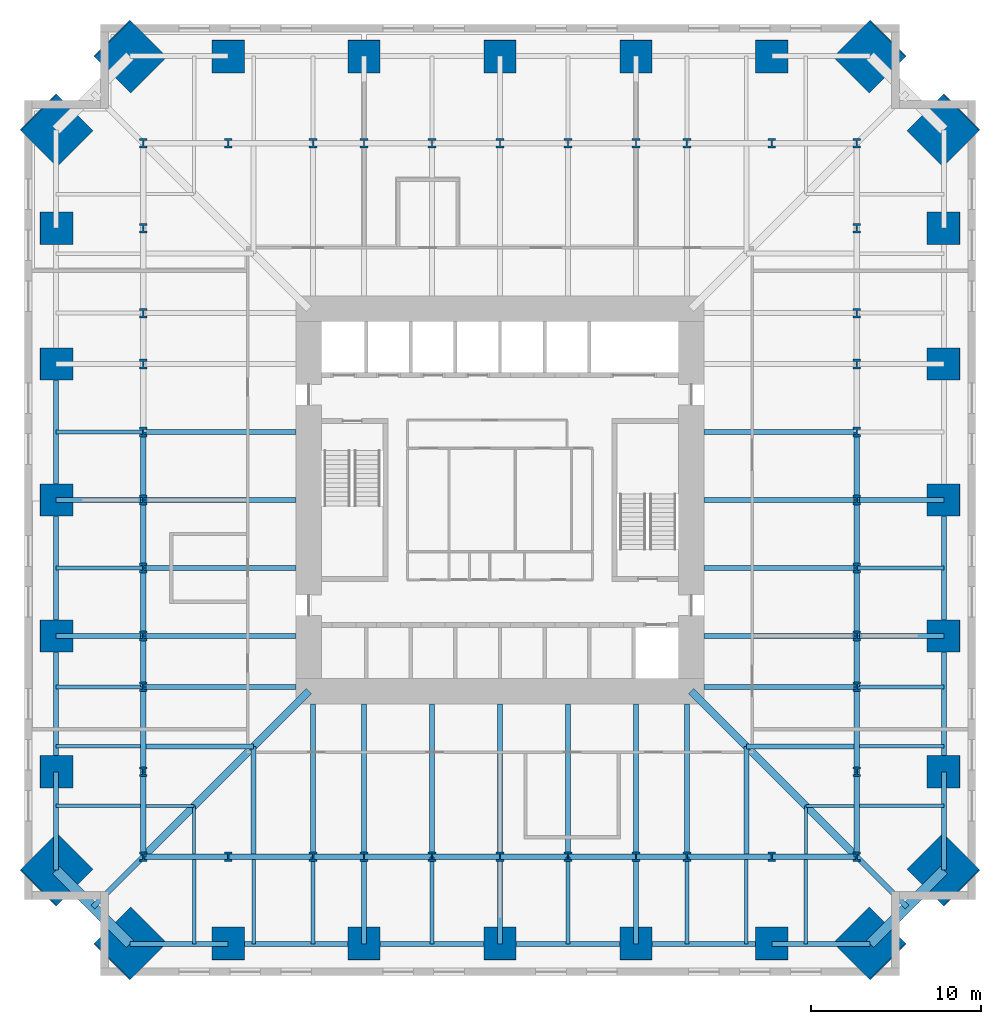
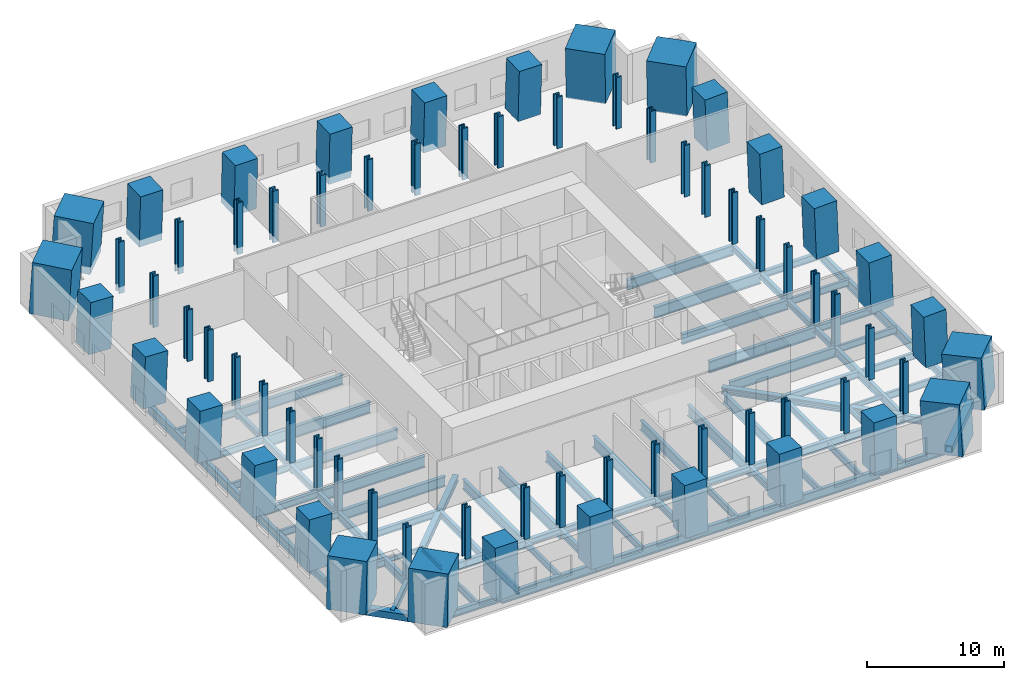
# One storey, part 1 of 8: 90 beams, 68 columns.
"""IFC4 building model written with IfcOpenShell, lengths in metres."""

from ifc_helpers import new_model, si_unit, direction, frame, origin, origin_2d, place, context, subcontext, project, spatial, rectangle, hollow_rectangle, i_section, extrude, material, material_profile, profile_set, type_object, element, save


model = new_model("IFC4")

# Units and contexts
model_context = context("Model", 3, precision=1e-05, world=origin(), true_north=direction((0.0, 1.0)))
body_context = subcontext(model_context, "Body", "Model", "MODEL_VIEW")
ifc_project = project(units=[si_unit("LENGTHUNIT", "METRE"), si_unit("AREAUNIT", "SQUARE_METRE"), si_unit("VOLUMEUNIT", "CUBIC_METRE"), si_unit("PLANEANGLEUNIT", "RADIAN"), si_unit("MASSUNIT", "GRAM", prefix="KILO")], contexts=[model_context])

# Site, building, storey
site_placement = place(None, origin())
site = spatial("IfcSite", under=ifc_project, at=site_placement, CompositionType="ELEMENT")
building_placement = place(site_placement, origin())
building = spatial("IfcBuilding", under=site, at=building_placement, Name="Peilmerk Tower", CompositionType="ELEMENT")
storey_placement = place(building_placement, frame((0.0, 0.0, 118.199951171875)))
storey = spatial("IfcBuildingStorey", under=building, at=storey_placement, Name="L23", CompositionType="ELEMENT", Elevation=118.199951171875)

# Columns
ifc_material_1 = material(Name="Concrete C90/105", Category="concrete")
ifc_material_profile_1 = material_profile(ifc_material_1, rectangle(XDim=3.0, YDim=3.0, at=origin_2d()), Name="RC 3000x3000")
ifc_profile_set_1 = profile_set([ifc_material_profile_1], Name="Concrete C90/105")
column_type_1 = type_object("IfcColumnType", Name="MC1 3000x3000 encased mega column", PredefinedType="COLUMN", material=ifc_profile_set_1)
for number, where, z_axis, x_axis, name in (
    (1, (21.78076171875, 26.130615234375, 0.0), (-0.040269957025, -0.040269957025, 0.998377013519), (0.707106781187, -0.707106781187, 0.0), "Mega column MC1 NE_N L23"),
    (2, (26.130615234375, 21.78076171875, 0.0), (-0.040269957025, -0.040269957025, 0.998377013519), (0.707106781187, -0.707106781187, 0.0), "Mega column MC1 NE_E L23"),
    (3, (26.130615234375, -21.78076171875, 0.0), (-0.040269957025, 0.040269957025, 0.998377013519), (-0.707106781187, -0.707106781187, 0.0), "Mega column MC1 SE_E L23"),
    (4, (21.78076171875, -26.130615234375, 0.0), (-0.040269957025, 0.040269957025, 0.998377013519), (-0.707106781187, -0.707106781187, 0.0), "Mega column MC1 SE_S L23"),
    (5, (-21.78076171875, -26.130615234375, 0.0), (0.040269957025, 0.040269957025, 0.998377013519), (-0.707106781187, 0.707106781187, 0.0), "Mega column MC1 SW_S L23"),
    (6, (-26.130615234375, -21.78076171875, 0.0), (0.040269957025, 0.040269957025, 0.998377013519), (-0.707106781187, 0.707106781187, 0.0), "Mega column MC1 SW_W L23"),
    (7, (-26.130615234375, 21.78076171875, 0.0), (0.040269957025, -0.040269957025, 0.998377013519), (0.707106781187, 0.707106781187, 0.0), "Mega column MC1 NW_W L23"),
    (8, (-21.78076171875, 26.130615234375, 0.0), (0.040269957025, -0.040269957025, 0.998377013519), (0.707106781187, 0.707106781187, 0.0), "Mega column MC1 NW_N L23"),
):
    element("IfcColumn", number, at=place(storey_placement, frame(where, z_axis=z_axis, x_axis=x_axis)), inside=storey, type_object=column_type_1, Name=name, PredefinedType="COLUMN", context=body_context, shape_type="SweptSolid", body=[
        extrude(rectangle(XDim=3.0, YDim=3.0, at=origin_2d()), origin(), (0.0, 0.0, 1.0), 4.607666015625),
    ])
ifc_material_profile_2 = material_profile(ifc_material_1, rectangle(XDim=1.89990234375, YDim=1.89990234375, at=origin_2d()), Name="RC 1900x1900")
ifc_profile_set_2 = profile_set([ifc_material_profile_2], Name="Concrete C90/105")
column_type_2 = type_object("IfcColumnType", Name="SC5 1900x1900 encased perimeter column", PredefinedType="COLUMN", material=ifc_profile_set_2)
for number, where, z_axis, x_axis, name in (
    (9, (0.0, 26.130615234375, 0.0), (0.0, -0.040302649072, 0.999187518176), (1.0, 0.0, 0.0), "Perimeter column N+0 L23"),
    (10, (8.0, 26.130615234375, 0.0), (0.0, -0.040302649072, 0.999187518176), (1.0, 0.0, 0.0), "Perimeter column N-8 L23"),
    (11, (-8.0, 26.130615234375, 0.0), (0.0, -0.040302649072, 0.999187518176), (1.0, 0.0, 0.0), "Perimeter column N+8 L23"),
    (12, (16.0, 26.130615234375, 0.0), (0.0, -0.040302649072, 0.999187518176), (1.0, 0.0, 0.0), "Perimeter column N-16 L23"),
    (13, (-16.0, 26.130615234375, 0.0), (0.0, -0.040302649072, 0.999187518176), (1.0, 0.0, 0.0), "Perimeter column N+16 L23"),
    (14, (26.130615234375, 0.0, 0.0), (-0.040302649072, 0.0, 0.999187518176), (0.0, -1.0, 0.0), "Perimeter column E+0 L23"),
    (15, (26.130615234375, -8.0, 0.0), (-0.040302649072, 0.0, 0.999187518176), (0.0, -1.0, 0.0), "Perimeter column E-8 L23"),
    (16, (26.130615234375, 8.0, 0.0), (-0.040302649072, 0.0, 0.999187518176), (0.0, -1.0, 0.0), "Perimeter column E+8 L23"),
    (17, (26.130615234375, -16.0, 0.0), (-0.040302649072, 0.0, 0.999187518176), (0.0, -1.0, 0.0), "Perimeter column E-16 L23"),
    (18, (26.130615234375, 16.0, 0.0), (-0.040302649072, 0.0, 0.999187518176), (0.0, -1.0, 0.0), "Perimeter column E+16 L23"),
    (19, (0.0, -26.130615234375, 0.0), (0.0, 0.040302649072, 0.999187518176), (-1.0, 0.0, 0.0), "Perimeter column S+0 L23"),
    (20, (-8.0, -26.130615234375, 0.0), (0.0, 0.040302649072, 0.999187518176), (-1.0, 0.0, 0.0), "Perimeter column S-8 L23"),
    (21, (8.0, -26.130615234375, 0.0), (0.0, 0.040302649072, 0.999187518176), (-1.0, 0.0, 0.0), "Perimeter column S+8 L23"),
    (22, (-16.0, -26.130615234375, 0.0), (0.0, 0.040302649072, 0.999187518176), (-1.0, 0.0, 0.0), "Perimeter column S-16 L23"),
    (23, (16.0, -26.130615234375, 0.0), (0.0, 0.040302649072, 0.999187518176), (-1.0, 0.0, 0.0), "Perimeter column S+16 L23"),
    (24, (-26.130615234375, 0.0, 0.0), (0.040302649072, 0.0, 0.999187518176), (0.0, 1.0, 0.0), "Perimeter column W+0 L23"),
    (25, (-26.130615234375, 8.0, 0.0), (0.040302649072, 0.0, 0.999187518176), (0.0, 1.0, 0.0), "Perimeter column W-8 L23"),
    (26, (-26.130615234375, -8.0, 0.0), (0.040302649072, 0.0, 0.999187518176), (0.0, 1.0, 0.0), "Perimeter column W+8 L23"),
    (27, (-26.130615234375, 16.0, 0.0), (0.040302649072, 0.0, 0.999187518176), (0.0, 1.0, 0.0), "Perimeter column W-16 L23"),
    (28, (-26.130615234375, -16.0, 0.0), (0.040302649072, 0.0, 0.999187518176), (0.0, 1.0, 0.0), "Perimeter column W+16 L23"),
):
    element("IfcColumn", number, at=place(storey_placement, frame(where, z_axis=z_axis, x_axis=x_axis)), inside=storey, type_object=column_type_2, Name=name, PredefinedType="COLUMN", context=body_context, shape_type="SweptSolid", body=[
        extrude(rectangle(XDim=1.89990234375, YDim=1.89990234375, at=origin_2d()), origin(), (0.0, 0.0, 1.0), 4.603759765625),
    ])
ifc_material_2 = material(Name="Steel S460", Category="steel")
ifc_material_profile_3 = material_profile(ifc_material_2, i_section(OverallWidth=0.4541015625, OverallDepth=0.569091796875, WebThickness=0.077880859375, FlangeThickness=0.125, at=origin_2d()), Name="HD 400x1086")
ifc_profile_set_3 = profile_set([ifc_material_profile_3], Name="Steel S460")
column_type_3 = type_object("IfcColumnType", Name="SC6 HD 400x1086 interior column", PredefinedType="COLUMN", material=ifc_profile_set_3)
for number, where, z_axis, x_axis, name in (
    (29, (0.0, 21.0, 0.0), (0.0, 0.0, 1.0), (1.0, 0.0, 0.0), "Interior column N+0 L23"),
    (30, (4.0, 21.0, 0.0), (0.0, 0.0, 1.0), (1.0, 0.0, 0.0), "Interior column N-4 L23"),
    (31, (-4.0, 21.0, 0.0), (0.0, 0.0, 1.0), (1.0, 0.0, 0.0), "Interior column N+4 L23"),
    (32, (8.0, 21.0, 0.0), (0.0, 0.0, 1.0), (1.0, 0.0, 0.0), "Interior column N-8 L23"),
    (33, (-8.0, 21.0, 0.0), (0.0, 0.0, 1.0), (1.0, 0.0, 0.0), "Interior column N+8 L23"),
    (34, (11.0, 21.0, 0.0), (0.0, 0.0, 1.0), (1.0, 0.0, 0.0), "Interior column N-11 L23"),
    (35, (-11.0, 21.0, 0.0), (0.0, 0.0, 1.0), (1.0, 0.0, 0.0), "Interior column N+11 L23"),
    (36, (16.0, 21.0, 0.0), (0.0, 0.0, 1.0), (1.0, 0.0, 0.0), "Interior column N-16 L23"),
    (37, (-16.0, 21.0, 0.0), (0.0, 0.0, 1.0), (1.0, 0.0, 0.0), "Interior column N+16 L23"),
    (38, (21.0, 0.0, 0.0), (0.0, 0.0, 1.0), (1.0, 0.0, 0.0), "Interior column E+0 L23"),
    (39, (21.0, -4.0, 0.0), (0.0, 0.0, 1.0), (1.0, 0.0, 0.0), "Interior column E-4 L23"),
    (40, (21.0, 4.0, 0.0), (0.0, 0.0, 1.0), (1.0, 0.0, 0.0), "Interior column E+4 L23"),
    (41, (21.0, -8.0, 0.0), (0.0, 0.0, 1.0), (1.0, 0.0, 0.0), "Interior column E-8 L23"),
    (42, (21.0, 8.0, 0.0), (0.0, 0.0, 1.0), (1.0, 0.0, 0.0), "Interior column E+8 L23"),
    (43, (21.0, -11.0, 0.0), (0.0, 0.0, 1.0), (1.0, 0.0, 0.0), "Interior column E-11 L23"),
    (44, (21.0, 11.0, 0.0), (0.0, 0.0, 1.0), (1.0, 0.0, 0.0), "Interior column E+11 L23"),
    (45, (21.0, -16.0, 0.0), (0.0, 0.0, 1.0), (1.0, 0.0, 0.0), "Interior column E-16 L23"),
    (46, (21.0, 16.0, 0.0), (0.0, 0.0, 1.0), (1.0, 0.0, 0.0), "Interior column E+16 L23"),
    (47, (0.0, -21.0, 0.0), (0.0, 0.0, 1.0), (1.0, 0.0, 0.0), "Interior column S+0 L23"),
    (48, (-4.0, -21.0, 0.0), (0.0, 0.0, 1.0), (1.0, 0.0, 0.0), "Interior column S-4 L23"),
    (49, (4.0, -21.0, 0.0), (0.0, 0.0, 1.0), (1.0, 0.0, 0.0), "Interior column S+4 L23"),
    (50, (-8.0, -21.0, 0.0), (0.0, 0.0, 1.0), (1.0, 0.0, 0.0), "Interior column S-8 L23"),
    (51, (8.0, -21.0, 0.0), (0.0, 0.0, 1.0), (1.0, 0.0, 0.0), "Interior column S+8 L23"),
    (52, (-11.0, -21.0, 0.0), (0.0, 0.0, 1.0), (1.0, 0.0, 0.0), "Interior column S-11 L23"),
    (53, (11.0, -21.0, 0.0), (0.0, 0.0, 1.0), (1.0, 0.0, 0.0), "Interior column S+11 L23"),
    (54, (-16.0, -21.0, 0.0), (0.0, 0.0, 1.0), (1.0, 0.0, 0.0), "Interior column S-16 L23"),
    (55, (16.0, -21.0, 0.0), (0.0, 0.0, 1.0), (1.0, 0.0, 0.0), "Interior column S+16 L23"),
    (56, (-21.0, 0.0, 0.0), (0.0, 0.0, 1.0), (1.0, 0.0, 0.0), "Interior column W+0 L23"),
    (57, (-21.0, 4.0, 0.0), (0.0, 0.0, 1.0), (1.0, 0.0, 0.0), "Interior column W-4 L23"),
    (58, (-21.0, -4.0, 0.0), (0.0, 0.0, 1.0), (1.0, 0.0, 0.0), "Interior column W+4 L23"),
    (59, (-21.0, 8.0, 0.0), (0.0, 0.0, 1.0), (1.0, 0.0, 0.0), "Interior column W-8 L23"),
    (60, (-21.0, -8.0, 0.0), (0.0, 0.0, 1.0), (1.0, 0.0, 0.0), "Interior column W+8 L23"),
    (61, (-21.0, 11.0, 0.0), (0.0, 0.0, 1.0), (1.0, 0.0, 0.0), "Interior column W-11 L23"),
    (62, (-21.0, -11.0, 0.0), (0.0, 0.0, 1.0), (1.0, 0.0, 0.0), "Interior column W+11 L23"),
    (63, (-21.0, 16.0, 0.0), (0.0, 0.0, 1.0), (1.0, 0.0, 0.0), "Interior column W-16 L23"),
    (64, (-21.0, -16.0, 0.0), (0.0, 0.0, 1.0), (1.0, 0.0, 0.0), "Interior column W+16 L23"),
    (65, (21.0, 21.0, 0.0), (0.0, 0.0, 1.0), (1.0, 0.0, 0.0), "Interior column NE L23"),
    (66, (21.0, -21.0, 0.0), (0.0, 0.0, 1.0), (1.0, 0.0, 0.0), "Interior column SE L23"),
    (67, (-21.0, -21.0, 0.0), (0.0, 0.0, 1.0), (1.0, 0.0, 0.0), "Interior column SW L23"),
    (68, (-21.0, 21.0, 0.0), (0.0, 0.0, 1.0), (1.0, 0.0, 0.0), "Interior column NW L23"),
):
    element("IfcColumn", number, at=place(storey_placement, frame(where, z_axis=z_axis, x_axis=x_axis)), inside=storey, type_object=column_type_3, Name=name, PredefinedType="COLUMN", context=body_context, shape_type="SweptSolid", body=[
        extrude(i_section(OverallWidth=0.4541015625, OverallDepth=0.569091796875, WebThickness=0.077880859375, FlangeThickness=0.125, at=origin_2d()), origin(), (0.0, 0.0, 1.0), 4.60009765625),
    ])

# Beams
ifc_material_3 = material(Name="Steel S355", Category="steel")
ifc_material_profile_4 = material_profile(ifc_material_3, i_section(OverallWidth=0.219970703125, OverallDepth=0.60009765625, WebThickness=0.011962890625, FlangeThickness=0.01904296875, at=origin_2d()), Name="IPE 600")
ifc_profile_set_4 = profile_set([ifc_material_profile_4], Name="Steel S355")
beam_type_1 = type_object("IfcBeamType", Name="B10 IPE 600 floor beam", PredefinedType="BEAM", material=ifc_profile_set_4)
for number, where, z_axis, x_axis, name in (
    (69, (21.0, -11.0, -0.5), (1.0, 0.0, 0.0), (0.0, 1.0, 0.0), "Floor beam L23"),
    (70, (21.0, -4.0, -0.5), (1.0, 0.0, 0.0), (0.0, 1.0, 0.0), "Floor beam L23"),
    (71, (-11.0, -21.0, -0.5), (0.0, -1.0, 0.0), (1.0, 0.0, 0.0), "Floor beam L23"),
    (72, (-4.0, -21.0, -0.5), (0.0, -1.0, 0.0), (1.0, 0.0, 0.0), "Floor beam L23"),
    (73, (4.0, -21.0, -0.5), (0.0, -1.0, 0.0), (1.0, 0.0, 0.0), "Floor beam L23"),
    (74, (11.0, -21.0, -0.5), (0.0, -1.0, 0.0), (1.0, 0.0, 0.0), "Floor beam L23"),
    (75, (-21.0, 4.0, -0.5), (-1.0, 0.0, 0.0), (0.0, -1.0, 0.0), "Floor beam L23"),
    (76, (-21.0, -4.0, -0.5), (-1.0, 0.0, 0.0), (0.0, -1.0, 0.0), "Floor beam L23"),
    (77, (-21.0, -11.0, -0.5), (-1.0, 0.0, 0.0), (0.0, -1.0, 0.0), "Floor beam L23"),
):
    element("IfcBeam", number, at=place(storey_placement, frame(where, z_axis=z_axis, x_axis=x_axis)), inside=storey, type_object=beam_type_1, Name=name, PredefinedType="BEAM", context=body_context, shape_type="SweptSolid", body=[
        extrude(i_section(OverallWidth=0.219970703125, OverallDepth=0.60009765625, WebThickness=0.011962890625, FlangeThickness=0.01904296875, at=origin_2d()), origin(), (0.0, 0.0, 1.0), 5.130615234375),
    ])
for number, where, z_axis, x_axis, name in (
    (78, (14.5, -21.152099609375, -0.5), (0.0, -1.0, 0.0), (1.0, 0.0, 0.0), "Floor beam L23"),
    (79, (21.152099609375, -14.5, -0.5), (1.0, 0.0, 0.0), (0.0, 1.0, 0.0), "Floor beam L23"),
    (80, (18.0, -21.152099609375, -0.5), (0.0, -1.0, 0.0), (1.0, 0.0, 0.0), "Floor beam L23"),
    (81, (21.152099609375, -18.0, -0.5), (1.0, 0.0, 0.0), (0.0, 1.0, 0.0), "Floor beam L23"),
    (82, (-14.5, -21.152099609375, -0.5), (0.0, -1.0, 0.0), (1.0, 0.0, 0.0), "Floor beam L23"),
    (83, (-21.152099609375, -14.5, -0.5), (-1.0, 0.0, 0.0), (0.0, -1.0, 0.0), "Floor beam L23"),
    (84, (-18.0, -21.152099609375, -0.5), (0.0, -1.0, 0.0), (1.0, 0.0, 0.0), "Floor beam L23"),
    (85, (-21.152099609375, -18.0, -0.5), (-1.0, 0.0, 0.0), (0.0, -1.0, 0.0), "Floor beam L23"),
):
    element("IfcBeam", number, at=place(storey_placement, frame(where, z_axis=z_axis, x_axis=x_axis)), inside=storey, type_object=beam_type_1, Name=name, PredefinedType="BEAM", context=body_context, shape_type="SweptSolid", body=[
        extrude(i_section(OverallWidth=0.219970703125, OverallDepth=0.60009765625, WebThickness=0.011962890625, FlangeThickness=0.01904296875, at=origin_2d()), origin(), (0.0, 0.0, 1.0), 4.978515625),
    ])
ifc_material_profile_5 = material_profile(ifc_material_3, i_section(OverallWidth=0.302978515625, OverallDepth=0.81396484375, WebThickness=0.02099609375, FlangeThickness=0.0400390625, at=origin_2d()), Name="HEM 800")
ifc_profile_set_5 = profile_set([ifc_material_profile_5], Name="Steel S355")
beam_type_2 = type_object("IfcBeamType", Name="B15 HEM 800 edge beam", PredefinedType="SPANDREL", material=ifc_profile_set_5)
for number, where, z_axis, x_axis, name in (
    (86, (26.130615234375, -16.0, -0.60693359375), (0.0, 1.0, 0.0), (-1.0, 0.0, 0.0), "Edge beam L23"),
    (87, (26.130615234375, -8.0, -0.60693359375), (0.0, 1.0, 0.0), (-1.0, 0.0, 0.0), "Edge beam L23"),
    (88, (-16.0, -26.130615234375, -0.60693359375), (1.0, 0.0, 0.0), (0.0, 1.0, 0.0), "Edge beam L23"),
    (89, (-8.0, -26.130615234375, -0.60693359375), (1.0, 0.0, 0.0), (0.0, 1.0, 0.0), "Edge beam L23"),
    (90, (0.0, -26.130615234375, -0.60693359375), (1.0, 0.0, 0.0), (0.0, 1.0, 0.0), "Edge beam L23"),
    (91, (8.0, -26.130615234375, -0.60693359375), (1.0, 0.0, 0.0), (0.0, 1.0, 0.0), "Edge beam L23"),
    (92, (-26.130615234375, 8.0, -0.60693359375), (0.0, -1.0, 0.0), (1.0, 0.0, 0.0), "Edge beam L23"),
    (93, (-26.130615234375, 0.0, -0.60693359375), (0.0, -1.0, 0.0), (1.0, 0.0, 0.0), "Edge beam L23"),
    (94, (-26.130615234375, -8.0, -0.60693359375), (0.0, -1.0, 0.0), (1.0, 0.0, 0.0), "Edge beam L23"),
):
    element("IfcBeam", number, at=place(storey_placement, frame(where, z_axis=z_axis, x_axis=x_axis)), inside=storey, type_object=beam_type_2, Name=name, PredefinedType="SPANDREL", context=body_context, shape_type="SweptSolid", body=[
        extrude(i_section(OverallWidth=0.302978515625, OverallDepth=0.81396484375, WebThickness=0.02099609375, FlangeThickness=0.0400390625, at=origin_2d()), origin(), (0.0, 0.0, 1.0), 8.0),
    ])
ifc_material_profile_6 = material_profile(ifc_material_3, i_section(OverallWidth=0.303955078125, OverallDepth=0.716064453125, WebThickness=0.02099609375, FlangeThickness=0.0400390625, at=origin_2d()), Name="HEM 700")
ifc_profile_set_6 = profile_set([ifc_material_profile_6], Name="Steel S355")
beam_type_3 = type_object("IfcBeamType", Name="B19 HEM 700 ring girder", PredefinedType="BEAM", material=ifc_profile_set_6)
for number, where, z_axis, x_axis, name in (
    (95, (21.0, -21.0, -0.557861328125), (0.0, 1.0, 0.0), (-1.0, 0.0, 0.0), "Ring girder L23"),
    (96, (21.0, -16.0, -0.557861328125), (0.0, 1.0, 0.0), (-1.0, 0.0, 0.0), "Ring girder L23"),
    (97, (-21.0, -21.0, -0.557861328125), (1.0, 0.0, 0.0), (0.0, 1.0, 0.0), "Ring girder L23"),
    (98, (-16.0, -21.0, -0.557861328125), (1.0, 0.0, 0.0), (0.0, 1.0, 0.0), "Ring girder L23"),
    (99, (11.0, -21.0, -0.557861328125), (1.0, 0.0, 0.0), (0.0, 1.0, 0.0), "Ring girder L23"),
    (100, (16.0, -21.0, -0.557861328125), (1.0, 0.0, 0.0), (0.0, 1.0, 0.0), "Ring girder L23"),
    (101, (-21.0, -11.0, -0.557861328125), (0.0, -1.0, 0.0), (1.0, 0.0, 0.0), "Ring girder L23"),
    (102, (-21.0, -16.0, -0.557861328125), (0.0, -1.0, 0.0), (1.0, 0.0, 0.0), "Ring girder L23"),
):
    element("IfcBeam", number, at=place(storey_placement, frame(where, z_axis=z_axis, x_axis=x_axis)), inside=storey, type_object=beam_type_3, Name=name, PredefinedType="BEAM", context=body_context, shape_type="SweptSolid", body=[
        extrude(i_section(OverallWidth=0.303955078125, OverallDepth=0.716064453125, WebThickness=0.02099609375, FlangeThickness=0.0400390625, at=origin_2d()), origin(), (0.0, 0.0, 1.0), 5.0),
    ])
ifc_material_profile_7 = material_profile(ifc_material_2, hollow_rectangle(XDim=0.60009765625, YDim=0.60009765625, WallThickness=0.06005859375, at=origin_2d()), Name="BOX 600x600x60")
ifc_profile_set_7 = profile_set([ifc_material_profile_7], Name="Steel S460")
beam_type_4 = type_object("IfcBeamType", Name="B20 BOX 600x600x60 notch beam", PredefinedType="SPANDREL", material=ifc_profile_set_7)
for number, where, z_axis, x_axis, name in (
    (103, (26.130615234375, -21.78076171875, -0.5), (-0.707106781187, -0.707106781187, 0.0), (0.707106781187, -0.707106781187, 0.0), "Notch beam L23"),
    (104, (-21.78076171875, -26.130615234375, -0.5), (-0.707106781187, 0.707106781187, 0.0), (-0.707106781187, -0.707106781187, 0.0), "Notch beam L23"),
):
    element("IfcBeam", number, at=place(storey_placement, frame(where, z_axis=z_axis, x_axis=x_axis)), inside=storey, type_object=beam_type_4, Name=name, PredefinedType="SPANDREL", context=body_context, shape_type="SweptSolid", body=[
        extrude(hollow_rectangle(XDim=0.60009765625, YDim=0.60009765625, WallThickness=0.06005859375, at=origin_2d()), origin(), (0.0, 0.0, 1.0), 6.151611328125),
    ])
ifc_material_profile_8 = material_profile(ifc_material_3, i_section(OverallWidth=0.302001953125, OverallDepth=1.008056640625, WebThickness=0.02099609375, FlangeThickness=0.0400390625, at=origin_2d()), Name="HEM 1000")
ifc_profile_set_8 = profile_set([ifc_material_profile_8], Name="Steel S355")
beam_type_5 = type_object("IfcBeamType", Name="B24 HEM 1000 floor girder", PredefinedType="BEAM", material=ifc_profile_set_8)
for number, where, z_axis, x_axis, name in (
    (105, (12.0, -8.0, -0.703857421875), (1.0, 0.0, 0.0), (0.0, 1.0, 0.0), "Floor girder L23"),
    (106, (12.0, 0.0, -0.703857421875), (1.0, 0.0, 0.0), (0.0, 1.0, 0.0), "Floor girder L23"),
    (107, (-8.0, -12.0, -0.703857421875), (0.0, -1.0, 0.0), (1.0, 0.0, 0.0), "Floor girder L23"),
    (108, (0.0, -12.0, -0.703857421875), (0.0, -1.0, 0.0), (1.0, 0.0, 0.0), "Floor girder L23"),
    (109, (8.0, -12.0, -0.703857421875), (0.0, -1.0, 0.0), (1.0, 0.0, 0.0), "Floor girder L23"),
    (110, (-12.0, 0.0, -0.703857421875), (-1.0, 0.0, 0.0), (0.0, -1.0, 0.0), "Floor girder L23"),
    (111, (-12.0, -8.0, -0.703857421875), (-1.0, 0.0, 0.0), (0.0, -1.0, 0.0), "Floor girder L23"),
):
    element("IfcBeam", number, at=place(storey_placement, frame(where, z_axis=z_axis, x_axis=x_axis)), inside=storey, type_object=beam_type_5, Name=name, PredefinedType="BEAM", context=body_context, shape_type="SweptSolid", body=[
        extrude(i_section(OverallWidth=0.302001953125, OverallDepth=1.008056640625, WebThickness=0.02099609375, FlangeThickness=0.0400390625, at=origin_2d()), origin(), (0.0, 0.0, 1.0), 9.0),
    ])
ifc_material_profile_9 = material_profile(ifc_material_3, i_section(OverallWidth=0.300048828125, OverallDepth=0.590087890625, WebThickness=0.012939453125, FlangeThickness=0.02490234375, at=origin_2d()), Name="HEA 600")
ifc_profile_set_9 = profile_set([ifc_material_profile_9], Name="Steel S355")
beam_type_6 = type_object("IfcBeamType", Name="B27 HEA 600 floor beam", PredefinedType="BEAM", material=ifc_profile_set_9)
for number, where, z_axis, x_axis, name in (
    (112, (21.0, -8.0, -0.494873046875), (1.0, 0.0, 0.0), (0.0, 1.0, 0.0), "Floor girder L23"),
    (113, (21.0, 0.0, -0.494873046875), (1.0, 0.0, 0.0), (0.0, 1.0, 0.0), "Floor girder L23"),
    (114, (-8.0, -21.0, -0.494873046875), (0.0, -1.0, 0.0), (1.0, 0.0, 0.0), "Floor girder L23"),
    (115, (0.0, -21.0, -0.494873046875), (0.0, -1.0, 0.0), (1.0, 0.0, 0.0), "Floor girder L23"),
    (116, (8.0, -21.0, -0.494873046875), (0.0, -1.0, 0.0), (1.0, 0.0, 0.0), "Floor girder L23"),
    (117, (-21.0, 0.0, -0.494873046875), (-1.0, 0.0, 0.0), (0.0, -1.0, 0.0), "Floor girder L23"),
    (118, (-21.0, -8.0, -0.494873046875), (-1.0, 0.0, 0.0), (0.0, -1.0, 0.0), "Floor girder L23"),
):
    element("IfcBeam", number, at=place(storey_placement, frame(where, z_axis=z_axis, x_axis=x_axis)), inside=storey, type_object=beam_type_6, Name=name, PredefinedType="BEAM", context=body_context, shape_type="SweptSolid", body=[
        extrude(i_section(OverallWidth=0.300048828125, OverallDepth=0.590087890625, WebThickness=0.012939453125, FlangeThickness=0.02490234375, at=origin_2d()), origin(), (0.0, 0.0, 1.0), 5.130615234375),
    ])
for number, where, z_axis, x_axis, name in (
    (119, (14.5, -14.5, -0.494873046875), (0.0, -1.0, 0.0), (1.0, 0.0, 0.0), "Floor beam L23"),
    (120, (14.5, -14.5, -0.494873046875), (1.0, 0.0, 0.0), (0.0, 1.0, 0.0), "Floor beam L23"),
    (121, (-14.5, -14.5, -0.494873046875), (0.0, -1.0, 0.0), (1.0, 0.0, 0.0), "Floor beam L23"),
    (122, (-14.5, -14.5, -0.494873046875), (-1.0, 0.0, 0.0), (0.0, -1.0, 0.0), "Floor beam L23"),
):
    element("IfcBeam", number, at=place(storey_placement, frame(where, z_axis=z_axis, x_axis=x_axis)), inside=storey, type_object=beam_type_6, Name=name, PredefinedType="BEAM", context=body_context, shape_type="SweptSolid", body=[
        extrude(i_section(OverallWidth=0.300048828125, OverallDepth=0.590087890625, WebThickness=0.012939453125, FlangeThickness=0.02490234375, at=origin_2d()), origin(), (0.0, 0.0, 1.0), 6.347900390625),
    ])
ifc_material_profile_10 = material_profile(ifc_material_3, i_section(OverallWidth=0.179931640625, OverallDepth=0.39990234375, WebThickness=0.008544921875, FlangeThickness=0.013427734375, at=origin_2d()), Name="IPE 400")
ifc_profile_set_10 = profile_set([ifc_material_profile_10], Name="Steel S355")
beam_type_7 = type_object("IfcBeamType", Name="B28 IPE 400 floor beam", PredefinedType="BEAM", material=ifc_profile_set_10)
for number, where, z_axis, x_axis, name in (
    (123, (18.0, -18.0, -0.39990234375), (0.0, -1.0, 0.0), (1.0, 0.0, 0.0), "Floor beam L23"),
    (124, (18.0, -18.0, -0.39990234375), (1.0, 0.0, 0.0), (0.0, 1.0, 0.0), "Floor beam L23"),
    (125, (-18.0, -18.0, -0.39990234375), (0.0, -1.0, 0.0), (1.0, 0.0, 0.0), "Floor beam L23"),
    (126, (-18.0, -18.0, -0.39990234375), (-1.0, 0.0, 0.0), (0.0, -1.0, 0.0), "Floor beam L23"),
):
    element("IfcBeam", number, at=place(storey_placement, frame(where, z_axis=z_axis, x_axis=x_axis)), inside=storey, type_object=beam_type_7, Name=name, PredefinedType="BEAM", context=body_context, shape_type="SweptSolid", body=[
        extrude(i_section(OverallWidth=0.179931640625, OverallDepth=0.39990234375, WebThickness=0.008544921875, FlangeThickness=0.013427734375, at=origin_2d()), origin(), (0.0, 0.0, 1.0), 2.847900390625),
    ])
ifc_material_profile_11 = material_profile(ifc_material_3, i_section(OverallWidth=0.304931640625, OverallDepth=0.6201171875, WebThickness=0.02099609375, FlangeThickness=0.0400390625, at=origin_2d()), Name="HEM 600")
ifc_profile_set_11 = profile_set([ifc_material_profile_11], Name="Steel S355")
beam_type_8 = type_object("IfcBeamType", Name="B31 HEM 600 edge beam", PredefinedType="SPANDREL", material=ifc_profile_set_11)
for number, where, z_axis, x_axis, name in (
    (127, (26.130615234375, -21.78076171875, -0.510009765625), (0.0, 1.0, 0.0), (-1.0, 0.0, 0.0), "Edge beam L23"),
    (128, (-21.78076171875, -26.130615234375, -0.510009765625), (1.0, 0.0, 0.0), (0.0, 1.0, 0.0), "Edge beam L23"),
    (129, (16.0, -26.130615234375, -0.510009765625), (1.0, 0.0, 0.0), (0.0, 1.0, 0.0), "Edge beam L23"),
    (130, (-26.130615234375, -16.0, -0.510009765625), (0.0, -1.0, 0.0), (1.0, 0.0, 0.0), "Edge beam L23"),
):
    element("IfcBeam", number, at=place(storey_placement, frame(where, z_axis=z_axis, x_axis=x_axis)), inside=storey, type_object=beam_type_8, Name=name, PredefinedType="SPANDREL", context=body_context, shape_type="SweptSolid", body=[
        extrude(i_section(OverallWidth=0.304931640625, OverallDepth=0.6201171875, WebThickness=0.02099609375, FlangeThickness=0.0400390625, at=origin_2d()), origin(), (0.0, 0.0, 1.0), 5.78076171875),
    ])
ifc_material_profile_12 = material_profile(ifc_material_3, i_section(OverallWidth=0.300048828125, OverallDepth=0.889892578125, WebThickness=0.01611328125, FlangeThickness=0.030029296875, at=origin_2d()), Name="HEA 900")
ifc_profile_set_12 = profile_set([ifc_material_profile_12], Name="Steel S355")
beam_type_9 = type_object("IfcBeamType", Name="B4 HEA 900 floor beam", PredefinedType="BEAM", material=ifc_profile_set_12)
for number, where, z_axis, x_axis, name in (
    (131, (12.0, -11.0, -0.64501953125), (1.0, 0.0, 0.0), (0.0, 1.0, 0.0), "Floor beam L23"),
    (132, (12.0, -4.0, -0.64501953125), (1.0, 0.0, 0.0), (0.0, 1.0, 0.0), "Floor beam L23"),
    (133, (12.0, 4.0, -0.64501953125), (1.0, 0.0, 0.0), (0.0, 1.0, 0.0), "Floor beam L23"),
    (134, (-11.0, -12.0, -0.64501953125), (0.0, -1.0, 0.0), (1.0, 0.0, 0.0), "Floor beam L23"),
    (135, (-4.0, -12.0, -0.64501953125), (0.0, -1.0, 0.0), (1.0, 0.0, 0.0), "Floor beam L23"),
    (136, (4.0, -12.0, -0.64501953125), (0.0, -1.0, 0.0), (1.0, 0.0, 0.0), "Floor beam L23"),
    (137, (11.0, -12.0, -0.64501953125), (0.0, -1.0, 0.0), (1.0, 0.0, 0.0), "Floor beam L23"),
    (138, (-12.0, 4.0, -0.64501953125), (-1.0, 0.0, 0.0), (0.0, -1.0, 0.0), "Floor beam L23"),
    (139, (-12.0, -4.0, -0.64501953125), (-1.0, 0.0, 0.0), (0.0, -1.0, 0.0), "Floor beam L23"),
    (140, (-12.0, -11.0, -0.64501953125), (-1.0, 0.0, 0.0), (0.0, -1.0, 0.0), "Floor beam L23"),
):
    element("IfcBeam", number, at=place(storey_placement, frame(where, z_axis=z_axis, x_axis=x_axis)), inside=storey, type_object=beam_type_9, Name=name, PredefinedType="BEAM", context=body_context, shape_type="SweptSolid", body=[
        extrude(i_section(OverallWidth=0.300048828125, OverallDepth=0.889892578125, WebThickness=0.01611328125, FlangeThickness=0.030029296875, at=origin_2d()), origin(), (0.0, 0.0, 1.0), 9.0),
    ])
ifc_material_profile_13 = material_profile(ifc_material_3, i_section(OverallWidth=0.304931640625, OverallDepth=0.6201171875, WebThickness=0.02099609375, FlangeThickness=0.0400390625, at=origin_2d()), Name="HEM 600")
ifc_profile_set_13 = profile_set([ifc_material_profile_13], Name="Steel S355")
beam_type_10 = type_object("IfcBeamType", Name="B6 HEM 600 ring girder", PredefinedType="BEAM", material=ifc_profile_set_13)
for number, where, z_axis, x_axis, name in (
    (141, (21.0, -21.0, -0.510009765625), (0.707106781187, -0.707106781187, 0.0), (0.707106781187, 0.707106781187, 0.0), "Corner girder L23"),
    (142, (-21.0, -21.0, -0.510009765625), (-0.707106781187, -0.707106781187, 0.0), (0.707106781187, -0.707106781187, 0.0), "Corner girder L23"),
):
    element("IfcBeam", number, at=place(storey_placement, frame(where, z_axis=z_axis, x_axis=x_axis)), inside=storey, type_object=beam_type_10, Name=name, PredefinedType="BEAM", context=body_context, shape_type="SweptSolid", body=[
        extrude(i_section(OverallWidth=0.304931640625, OverallDepth=0.6201171875, WebThickness=0.02099609375, FlangeThickness=0.0400390625, at=origin_2d()), origin(), (0.0, 0.0, 1.0), 4.1796875),
    ])
ifc_material_profile_14 = material_profile(ifc_material_3, i_section(OverallWidth=0.305908203125, OverallDepth=0.52392578125, WebThickness=0.02099609375, FlangeThickness=0.0400390625, at=origin_2d()), Name="HEM 500")
ifc_profile_set_14 = profile_set([ifc_material_profile_14], Name="Steel S355")
beam_type_11 = type_object("IfcBeamType", Name="B7 HEM 500 ring girder", PredefinedType="BEAM", material=ifc_profile_set_14)
beam_1_placement = place(storey_placement, frame((21.0, -11.0, -0.4619140625), z_axis=(0.0, 1.0, 0.0), x_axis=(-1.0, 0.0, 0.0)))
element("IfcBeam", 143, at=beam_1_placement, inside=storey, type_object=beam_type_11, Name="Ring girder L23", PredefinedType="BEAM", context=body_context, shape_type="SweptSolid", body=[
    extrude(i_section(OverallWidth=0.305908203125, OverallDepth=0.52392578125, WebThickness=0.02099609375, FlangeThickness=0.0400390625, at=origin_2d()), origin(), (0.0, 0.0, 1.0), 3.0),
])
for number, where, z_axis, x_axis, name in (
    (144, (21.0, -8.0, -0.4619140625), (0.0, 1.0, 0.0), (-1.0, 0.0, 0.0), "Ring girder L23"),
    (145, (21.0, -4.0, -0.4619140625), (0.0, 1.0, 0.0), (-1.0, 0.0, 0.0), "Ring girder L23"),
    (146, (21.0, 0.0, -0.4619140625), (0.0, 1.0, 0.0), (-1.0, 0.0, 0.0), "Ring girder L23"),
):
    element("IfcBeam", number, at=place(storey_placement, frame(where, z_axis=z_axis, x_axis=x_axis)), inside=storey, type_object=beam_type_11, Name=name, PredefinedType="BEAM", context=body_context, shape_type="SweptSolid", body=[
        extrude(i_section(OverallWidth=0.305908203125, OverallDepth=0.52392578125, WebThickness=0.02099609375, FlangeThickness=0.0400390625, at=origin_2d()), origin(), (0.0, 0.0, 1.0), 4.0),
    ])
beam_2_placement = place(storey_placement, frame((-11.0, -21.0, -0.4619140625), z_axis=(1.0, 0.0, 0.0), x_axis=(0.0, 1.0, 0.0)))
element("IfcBeam", 147, at=beam_2_placement, inside=storey, type_object=beam_type_11, Name="Ring girder L23", PredefinedType="BEAM", context=body_context, shape_type="SweptSolid", body=[
    extrude(i_section(OverallWidth=0.305908203125, OverallDepth=0.52392578125, WebThickness=0.02099609375, FlangeThickness=0.0400390625, at=origin_2d()), origin(), (0.0, 0.0, 1.0), 3.0),
])
for number, where, z_axis, x_axis, name in (
    (148, (-8.0, -21.0, -0.4619140625), (1.0, 0.0, 0.0), (0.0, 1.0, 0.0), "Ring girder L23"),
    (149, (-4.0, -21.0, -0.4619140625), (1.0, 0.0, 0.0), (0.0, 1.0, 0.0), "Ring girder L23"),
    (150, (0.0, -21.0, -0.4619140625), (1.0, 0.0, 0.0), (0.0, 1.0, 0.0), "Ring girder L23"),
    (151, (4.0, -21.0, -0.4619140625), (1.0, 0.0, 0.0), (0.0, 1.0, 0.0), "Ring girder L23"),
):
    element("IfcBeam", number, at=place(storey_placement, frame(where, z_axis=z_axis, x_axis=x_axis)), inside=storey, type_object=beam_type_11, Name=name, PredefinedType="BEAM", context=body_context, shape_type="SweptSolid", body=[
        extrude(i_section(OverallWidth=0.305908203125, OverallDepth=0.52392578125, WebThickness=0.02099609375, FlangeThickness=0.0400390625, at=origin_2d()), origin(), (0.0, 0.0, 1.0), 4.0),
    ])
beam_3_placement = place(storey_placement, frame((8.0, -21.0, -0.4619140625), z_axis=(1.0, 0.0, 0.0), x_axis=(0.0, 1.0, 0.0)))
element("IfcBeam", 152, at=beam_3_placement, inside=storey, type_object=beam_type_11, Name="Ring girder L23", PredefinedType="BEAM", context=body_context, shape_type="SweptSolid", body=[
    extrude(i_section(OverallWidth=0.305908203125, OverallDepth=0.52392578125, WebThickness=0.02099609375, FlangeThickness=0.0400390625, at=origin_2d()), origin(), (0.0, 0.0, 1.0), 3.0),
])
for number, where, z_axis, x_axis, name in (
    (153, (-21.0, 4.0, -0.4619140625), (0.0, -1.0, 0.0), (1.0, 0.0, 0.0), "Ring girder L23"),
    (154, (-21.0, 0.0, -0.4619140625), (0.0, -1.0, 0.0), (1.0, 0.0, 0.0), "Ring girder L23"),
    (155, (-21.0, -4.0, -0.4619140625), (0.0, -1.0, 0.0), (1.0, 0.0, 0.0), "Ring girder L23"),
):
    element("IfcBeam", number, at=place(storey_placement, frame(where, z_axis=z_axis, x_axis=x_axis)), inside=storey, type_object=beam_type_11, Name=name, PredefinedType="BEAM", context=body_context, shape_type="SweptSolid", body=[
        extrude(i_section(OverallWidth=0.305908203125, OverallDepth=0.52392578125, WebThickness=0.02099609375, FlangeThickness=0.0400390625, at=origin_2d()), origin(), (0.0, 0.0, 1.0), 4.0),
    ])
beam_4_placement = place(storey_placement, frame((-21.0, -8.0, -0.4619140625), z_axis=(0.0, -1.0, 0.0), x_axis=(1.0, 0.0, 0.0)))
element("IfcBeam", 156, at=beam_4_placement, inside=storey, type_object=beam_type_11, Name="Ring girder L23", PredefinedType="BEAM", context=body_context, shape_type="SweptSolid", body=[
    extrude(i_section(OverallWidth=0.305908203125, OverallDepth=0.52392578125, WebThickness=0.02099609375, FlangeThickness=0.0400390625, at=origin_2d()), origin(), (0.0, 0.0, 1.0), 3.0),
])
ifc_material_profile_15 = material_profile(ifc_material_2, i_section(OverallWidth=0.4541015625, OverallDepth=0.569091796875, WebThickness=0.077880859375, FlangeThickness=0.125, at=origin_2d()), Name="HD 400x1086")
ifc_profile_set_15 = profile_set([ifc_material_profile_15], Name="Steel S460")
beam_type_12 = type_object("IfcBeamType", Name="B9 HD 400x1086 corner girder", PredefinedType="BEAM", material=ifc_profile_set_15)
for number, where, z_axis, x_axis, name in (
    (157, (11.25, -11.25, -0.484375), (0.707106781187, -0.707106781187, 0.0), (0.707106781187, 0.707106781187, 0.0), "Corner girder L23"),
    (158, (-11.25, -11.25, -0.484375), (-0.707106781187, -0.707106781187, 0.0), (0.707106781187, -0.707106781187, 0.0), "Corner girder L23"),
):
    element("IfcBeam", number, at=place(storey_placement, frame(where, z_axis=z_axis, x_axis=x_axis)), inside=storey, type_object=beam_type_12, Name=name, PredefinedType="BEAM", context=body_context, shape_type="SweptSolid", body=[
        extrude(i_section(OverallWidth=0.4541015625, OverallDepth=0.569091796875, WebThickness=0.077880859375, FlangeThickness=0.125, at=origin_2d()), origin(), (0.0, 0.0, 1.0), 13.78857421875),
    ])

save(model, "model.ifc")
